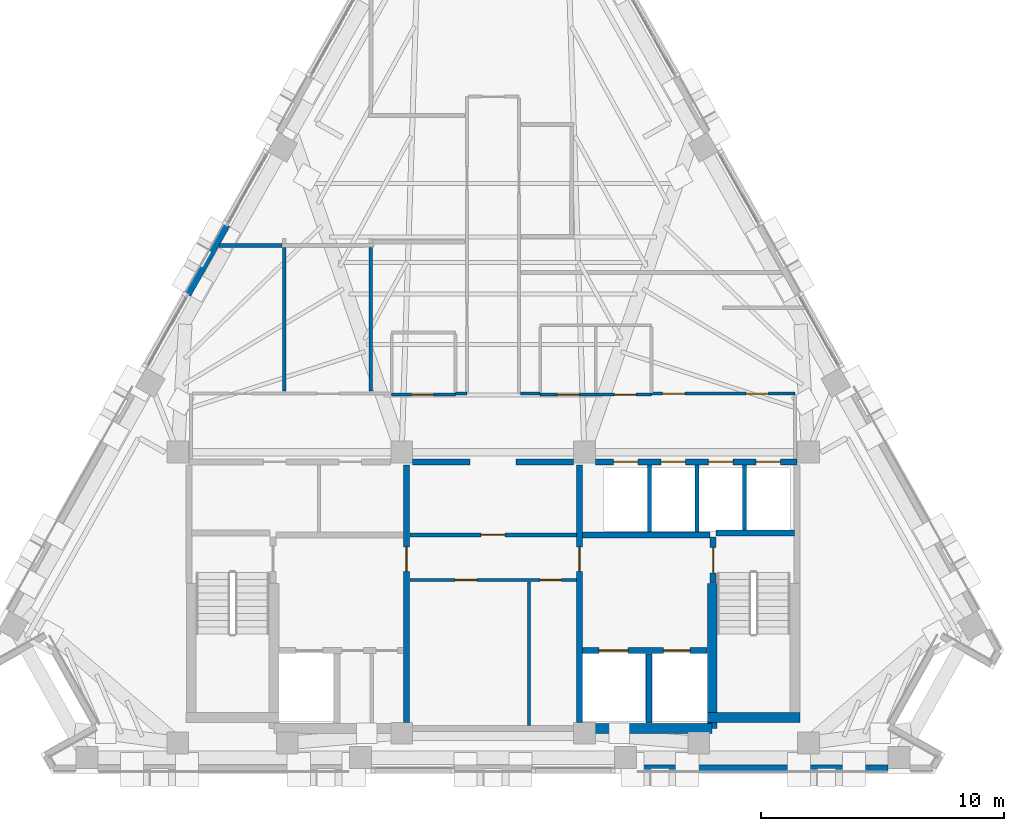
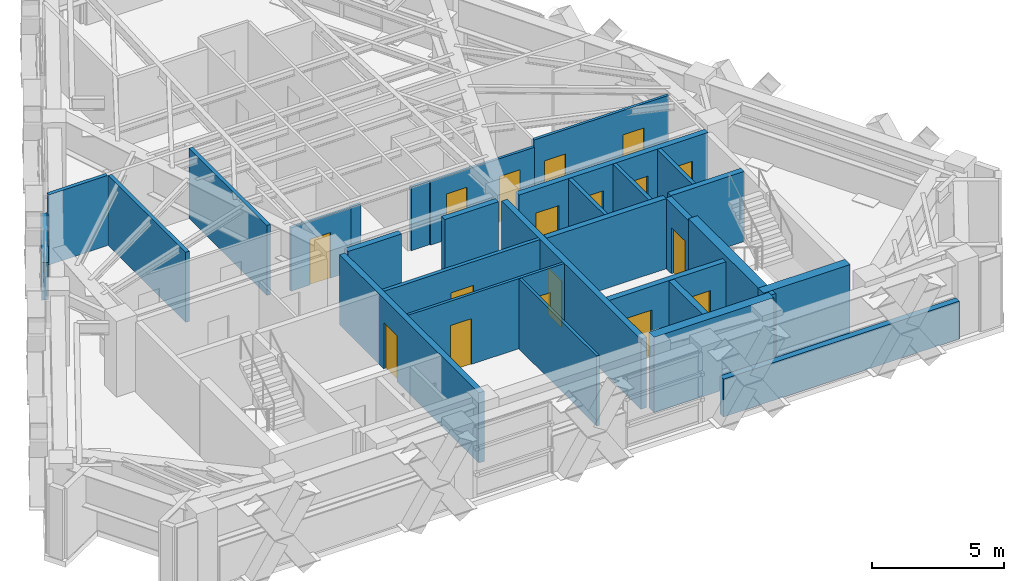
# One storey, part 8 of 13: 29 walls, 17 doors, 17 openings.
"""IFC4 building model written with IfcOpenShell, lengths in metres."""

from ifc_helpers import new_model, si_unit, direction, frame, frame_2d, origin, place, context, subcontext, project, spatial, rectangle, extrude, material, layer, layer_set, type_object, element, fill, save


model = new_model("IFC4")

# Units and contexts
model_context = context("Model", 3, precision=1e-05, world=origin(), true_north=direction((0.0, 1.0)))
body_context = subcontext(model_context, "Body", "Model", "MODEL_VIEW")
ifc_project = project(units=[si_unit("LENGTHUNIT", "METRE"), si_unit("AREAUNIT", "SQUARE_METRE"), si_unit("VOLUMEUNIT", "CUBIC_METRE"), si_unit("PLANEANGLEUNIT", "RADIAN"), si_unit("MASSUNIT", "GRAM", prefix="KILO")], contexts=[model_context])

# Site, building, storey
site_placement = place(None, origin())
site = spatial("IfcSite", under=ifc_project, at=site_placement, CompositionType="ELEMENT")
building_placement = place(site_placement, origin())
building = spatial("IfcBuilding", under=site, at=building_placement, Name="Quenlor Broadcast Tower", CompositionType="ELEMENT")
storey_placement = place(building_placement, frame((0.0, 0.0, 225.39990234375)))
storey = spatial("IfcBuildingStorey", under=building, at=storey_placement, Name="L62", CompositionType="ELEMENT", Elevation=225.39990234375)

# Walls
ifc_material_1 = material(Name="Concrete C50/60", Category="concrete")
ifc_layer_1 = layer(ifc_material_1, 0.39990234375)
ifc_layer_set_1 = layer_set([ifc_layer_1], Name="Core Concrete C50/60 Shear Wall 400")
wall_type_1 = type_object("IfcWallType", Name="Core Concrete C50/60 Shear Wall 400", PredefinedType="SHEAR", material=ifc_layer_set_1)
wall_1_placement = place(storey_placement, frame((3.75, -16.14990234375, 0.0), z_axis=(0.0, 0.0, 1.0), x_axis=(1.0, 0.0, 0.0)))
element("IfcWall", 1, at=wall_1_placement, inside=storey, type_object=wall_type_1, Name="L62 Core Shear Wall WS-E1", PredefinedType="SHEAR", context=body_context, shape_type="SweptSolid", body=[
    extrude(rectangle(XDim=5.25, YDim=0.39990234375, at=frame_2d((2.625, 0.0))), origin(), (0.0, 0.0, 1.0), 3.5),
])
wall_2_placement = place(storey_placement, frame((8.800048828125, -15.699951171875, 0.0), z_axis=(0.0, 0.0, 1.0), x_axis=(1.0, 0.0, 0.0)))
element("IfcWall", 2, at=wall_2_placement, inside=storey, type_object=wall_type_1, Name="L62 Core Shear Wall WS-E2", PredefinedType="SHEAR", context=body_context, shape_type="SweptSolid", body=[
    extrude(rectangle(XDim=3.800048828125, YDim=0.39990234375, at=frame_2d((1.89990234375, 0.0))), origin(), (0.0, 0.0, 1.0), 3.5),
])
wall_3_placement = place(storey_placement, frame((9.0, -16.14990234375, 0.0), z_axis=(0.0, 0.0, 1.0), x_axis=(0.0, 1.0, 0.0)))
element("IfcWall", 3, at=wall_3_placement, inside=storey, type_object=wall_type_1, Name="L62 Core Shear Wall WI-E", PredefinedType="SHEAR", context=body_context, shape_type="SweptSolid", body=[
    extrude(rectangle(XDim=5.949951171875, YDim=0.39990234375, at=frame_2d((2.97509765625, 0.0))), origin(), (0.0, 0.0, 1.0), 3.5),
])

# Wall, opening, door
ifc_material_2 = material(Name="Concrete C40/50", Category="concrete")
ifc_layer_2 = layer(ifc_material_2, 0.25)
ifc_layer_set_2 = layer_set([ifc_layer_2], Name="Fire Rated Concrete C40/50 Core Wall 250")
wall_type_2 = type_object("IfcWallType", Name="Fire Rated Concrete C40/50 Core Wall 250", PredefinedType="PARTITIONING", material=ifc_layer_set_2)
wall_4_placement = place(storey_placement, frame((9.0400390625, -10.179931640625, 0.0), z_axis=(0.0, 0.0, 1.0), x_axis=(0.0, 1.0, 0.0)))
wall_4 = element("IfcWall", 4, at=wall_4_placement, inside=storey, type_object=wall_type_2, Name="L62 Interior Wall CW-ST2-DR", PredefinedType="PARTITIONING", context=body_context, shape_type="SweptSolid", body=[
    extrude(rectangle(XDim=1.89990234375, YDim=0.25, at=frame_2d((0.949951171875, 0.0))), origin(), (0.0, 0.0, 1.0), 3.25),
])
opening_1_placement = place(wall_4_placement, frame((0.419921875, 0.0, 0.0)))
opening_1 = element("IfcOpeningElement", 5, at=opening_1_placement, cuts=wall_4, Name="Opening FD-1", PredefinedType="OPENING", context=body_context, shape_type="SweptSolid", body=[
    extrude(rectangle(XDim=1.050048828125, YDim=2.14990234375, at=frame_2d((0.52490234375, 1.074951171875))), frame((0.0, 0.135009765625, 0.0), z_axis=(0.0, -1.0, 0.0), x_axis=(1.0, 0.0, 0.0)), (0.0, 0.0, 1.0), 0.27001953125),
])
ifc_material_3 = material(Name="Fire Rated Steel Door Leaf", Category="steel")
door_type_1 = type_object("IfcDoorType", Name="Fire Isolated Stair Door 1050x2150", OperationType="NOTDEFINED", PredefinedType="DOOR", material=ifc_material_3)
door_1_placement = place(opening_1_placement, origin())
door_1 = element("IfcDoor", 6, at=door_1_placement, inside=storey, type_object=door_type_1, Name="L62 Door DR-ST2", OperationType="SINGLE_SWING_RIGHT", OverallHeight=2.14990234375, OverallWidth=1.050048828125, PredefinedType="DOOR", context=body_context, shape_type="SweptSolid", body=[
    extrude(rectangle(XDim=1.050048828125, YDim=2.14990234375, at=frame_2d((0.52490234375, 1.074951171875))), frame((0.0, 0.02490234375, 0.0), z_axis=(0.0, -1.0, 0.0), x_axis=(1.0, 0.0, 0.0)), (0.0, 0.0, 1.0), 0.050048828125),
])
fill(opening_1, door_1)

# Wall
wall_5_placement = place(storey_placement, frame((9.159912109375, -8.1201171875, 0.0), z_axis=(0.0, 0.0, 1.0), x_axis=(1.0, 0.0, 0.0)))
element("IfcWall", 7, at=wall_5_placement, inside=storey, type_object=wall_type_2, Name="L62 Interior Wall CW-ST2-N", PredefinedType="PARTITIONING", context=body_context, shape_type="SweptSolid", body=[
    extrude(rectangle(XDim=3.219970703125, YDim=0.25, at=frame_2d((1.60986328125, 0.0))), origin(), (0.0, 0.0, 1.0), 3.25),
])

# Wall, openings, doors
wall_6_placement = place(storey_placement, frame((3.679931640625, -12.949951171875, 0.0), z_axis=(0.0, 0.0, 1.0), x_axis=(1.0, 0.0, 0.0)))
wall_6 = element("IfcWall", 8, at=wall_6_placement, inside=storey, type_object=wall_type_2, Name="L62 Interior Wall CW-FFE-S", PredefinedType="PARTITIONING", context=body_context, shape_type="SweptSolid", body=[
    extrude(rectangle(XDim=5.1181640625, YDim=0.25, at=frame_2d((2.55908203125, 0.0))), origin(), (0.0, 0.0, 1.0), 3.25),
])
opening_2_placement = place(wall_6_placement, frame((3.320068359375, 0.0, 0.0)))
opening_2 = element("IfcOpeningElement", 9, at=opening_2_placement, cuts=wall_6, Name="Opening LD-FFL-2", PredefinedType="OPENING", context=body_context, shape_type="SweptSolid", body=[
    extrude(rectangle(XDim=1.10009765625, YDim=2.14990234375, at=frame_2d((0.550048828125, 1.074951171875))), frame((0.0, 0.135009765625, 0.0), z_axis=(0.0, -1.0, 0.0), x_axis=(1.0, 0.0, 0.0)), (0.0, 0.0, 1.0), 0.27001953125),
])
opening_3_placement = place(wall_6_placement, frame((0.669921875, 0.0, 0.0)))
opening_3 = element("IfcOpeningElement", 10, at=opening_3_placement, cuts=wall_6, Name="Opening LD-SVL-1", PredefinedType="OPENING", context=body_context, shape_type="SweptSolid", body=[
    extrude(rectangle(XDim=1.199951171875, YDim=2.14990234375, at=frame_2d((0.60009765625, 1.074951171875))), frame((0.0, 0.135009765625, 0.0), z_axis=(0.0, -1.0, 0.0), x_axis=(1.0, 0.0, 0.0)), (0.0, 0.0, 1.0), 0.27001953125),
])
ifc_material_4 = material(Name="Brushed Stainless Steel", Category="steel")
door_type_2 = type_object("IfcDoorType", Name="Emergency Lift Sliding Landing Door 1100x2150", OperationType="NOTDEFINED", PredefinedType="DOOR", material=ifc_material_4)
door_2_placement = place(opening_2_placement, origin())
door_2 = element("IfcDoor", 11, at=door_2_placement, inside=storey, type_object=door_type_2, Name="L62 Door LD-FFL-2", OperationType="SLIDING_TO_RIGHT", OverallHeight=2.14990234375, OverallWidth=1.10009765625, PredefinedType="DOOR", context=body_context, shape_type="SweptSolid", body=[
    extrude(rectangle(XDim=1.10009765625, YDim=2.14990234375, at=frame_2d((0.550048828125, 1.074951171875))), frame((0.0, 0.02490234375, 0.0), z_axis=(0.0, -1.0, 0.0), x_axis=(1.0, 0.0, 0.0)), (0.0, 0.0, 1.0), 0.050048828125),
])
fill(opening_2, door_2)
ifc_material_5 = material(Name="Brushed Stainless Steel", Category="steel")
door_type_3 = type_object("IfcDoorType", Name="Goods Lift Sliding Landing Door 1200x2150", OperationType="NOTDEFINED", PredefinedType="DOOR", material=ifc_material_5)
door_3_placement = place(opening_3_placement, origin())
door_3 = element("IfcDoor", 12, at=door_3_placement, inside=storey, type_object=door_type_3, Name="L62 Door LD-SVL-1", OperationType="SLIDING_TO_LEFT", OverallHeight=2.14990234375, OverallWidth=1.199951171875, PredefinedType="DOOR", context=body_context, shape_type="SweptSolid", body=[
    extrude(rectangle(XDim=1.199951171875, YDim=2.14990234375, at=frame_2d((0.60009765625, 1.074951171875))), frame((0.0, 0.02490234375, 0.0), z_axis=(0.0, -1.0, 0.0), x_axis=(1.0, 0.0, 0.0)), (0.0, 0.0, 1.0), 0.050048828125),
])
fill(opening_3, door_3)

# Walls
wall_7_placement = place(storey_placement, frame((6.39990234375, -15.919921875, 0.0), z_axis=(0.0, 0.0, 1.0), x_axis=(0.0, 1.0, 0.0)))
element("IfcWall", 13, at=wall_7_placement, inside=storey, type_object=wall_type_2, Name="L62 Interior Wall CW-SV1-E", PredefinedType="PARTITIONING", context=body_context, shape_type="SweptSolid", body=[
    extrude(rectangle(XDim=2.829833984375, YDim=0.25, at=frame_2d((1.4150390625, 0.0))), origin(), (0.0, 0.0, 1.0), 3.25),
])
wall_8_placement = place(storey_placement, frame((3.679931640625, -8.199951171875, 0.0), z_axis=(0.0, 0.0, 1.0), x_axis=(1.0, 0.0, 0.0)))
element("IfcWall", 14, at=wall_8_placement, inside=storey, type_object=wall_type_2, Name="L62 Interior Wall CW-FFE-N", PredefinedType="PARTITIONING", context=body_context, shape_type="SweptSolid", body=[
    extrude(rectangle(XDim=5.239990234375, YDim=0.25, at=frame_2d((2.6201171875, 0.0))), origin(), (0.0, 0.0, 1.0), 3.25),
])

# Wall, opening, door
wall_9_placement = place(storey_placement, frame((-3.550048828125, -15.89794921875, 0.0), z_axis=(0.0, 0.0, 1.0), x_axis=(0.0, 1.0, 0.0)))
wall_9 = element("IfcWall", 15, at=wall_9_placement, inside=storey, type_object=wall_type_2, Name="L62 Interior Wall CW-FFW-E", PredefinedType="PARTITIONING", context=body_context, shape_type="SweptSolid", body=[
    extrude(rectangle(XDim=10.557861328125, YDim=0.25, at=frame_2d((5.27880859375, 0.0))), origin(), (0.0, 0.0, 1.0), 3.25),
])
opening_4_placement = place(wall_9_placement, frame((6.197998046875, 0.0, 0.0)))
opening_4 = element("IfcOpeningElement", 16, at=opening_4_placement, cuts=wall_9, Name="Opening FD-2", PredefinedType="OPENING", context=body_context, shape_type="SweptSolid", body=[
    extrude(rectangle(XDim=1.0, YDim=2.14990234375, at=frame_2d((0.5, 1.074951171875))), frame((0.0, 0.135009765625, 0.0), z_axis=(0.0, -1.0, 0.0), x_axis=(1.0, 0.0, 0.0)), (0.0, 0.0, 1.0), 0.27001953125),
])
ifc_material_6 = material(Name="Fire Rated Glazed Steel Door", Category="steel")
door_type_4 = type_object("IfcDoorType", Name="Firefighting Lobby Smoke Door 1000x2150", OperationType="NOTDEFINED", PredefinedType="DOOR", material=ifc_material_6)
door_4_placement = place(opening_4_placement, origin())
door_4 = element("IfcDoor", 17, at=door_4_placement, inside=storey, type_object=door_type_4, Name="L62 Door DR-FFLW", OperationType="SINGLE_SWING_RIGHT", OverallHeight=2.14990234375, OverallWidth=1.0, PredefinedType="DOOR", context=body_context, shape_type="SweptSolid", body=[
    extrude(rectangle(XDim=1.0, YDim=2.14990234375, at=frame_2d((0.5, 1.074951171875))), frame((0.0, 0.02490234375, 0.0), z_axis=(0.0, -1.0, 0.0), x_axis=(1.0, 0.0, 0.0)), (0.0, 0.0, 1.0), 0.050048828125),
])
fill(opening_4, door_4)

wall_10_placement = place(storey_placement, frame((3.550048828125, -15.89794921875, 0.0), z_axis=(0.0, 0.0, 1.0), x_axis=(0.0, 1.0, 0.0)))
wall_10 = element("IfcWall", 18, at=wall_10_placement, inside=storey, type_object=wall_type_2, Name="L62 Interior Wall CW-FFE-W", PredefinedType="PARTITIONING", context=body_context, shape_type="SweptSolid", body=[
    extrude(rectangle(XDim=10.557861328125, YDim=0.25, at=frame_2d((5.27880859375, 0.0))), origin(), (0.0, 0.0, 1.0), 3.25),
])
opening_5_placement = place(wall_10_placement, frame((6.197998046875, 0.0, 0.0)))
opening_5 = element("IfcOpeningElement", 19, at=opening_5_placement, cuts=wall_10, Name="Opening FD-2", PredefinedType="OPENING", context=body_context, shape_type="SweptSolid", body=[
    extrude(rectangle(XDim=1.0, YDim=2.14990234375, at=frame_2d((0.5, 1.074951171875))), frame((0.0, 0.135009765625, 0.0), z_axis=(0.0, -1.0, 0.0), x_axis=(1.0, 0.0, 0.0)), (0.0, 0.0, 1.0), 0.27001953125),
])
door_5_placement = place(opening_5_placement, origin())
door_5 = element("IfcDoor", 20, at=door_5_placement, inside=storey, type_object=door_type_4, Name="L62 Door DR-FFLE", OperationType="SINGLE_SWING_LEFT", OverallHeight=2.14990234375, OverallWidth=1.0, PredefinedType="DOOR", context=body_context, shape_type="SweptSolid", body=[
    extrude(rectangle(XDim=1.0, YDim=2.14990234375, at=frame_2d((0.5, 1.074951171875))), frame((0.0, 0.02490234375, 0.0), z_axis=(0.0, -1.0, 0.0), x_axis=(1.0, 0.0, 0.0)), (0.0, 0.0, 1.0), 0.050048828125),
])
fill(opening_5, door_5)

# Wall, openings, doors
wall_11_placement = place(storey_placement, frame((4.201904296875, -5.199951171875, 0.0), z_axis=(0.0, 0.0, 1.0), x_axis=(1.0, 0.0, 0.0)))
wall_11 = element("IfcWall", 21, at=wall_11_placement, inside=storey, type_object=wall_type_2, Name="L62 Interior Wall CW-N-E", PredefinedType="PARTITIONING", context=body_context, shape_type="SweptSolid", body=[
    extrude(rectangle(XDim=8.278076171875, YDim=0.25, at=frame_2d((4.13916015625, 0.0))), origin(), (0.0, 0.0, 1.0), 3.25),
])
opening_6_placement = place(wall_11_placement, frame((0.748046875, 0.0, 0.0)))
opening_6 = element("IfcOpeningElement", 22, at=opening_6_placement, cuts=wall_11, Name="Opening LD-PL-H1", PredefinedType="OPENING", context=body_context, shape_type="SweptSolid", body=[
    extrude(rectangle(XDim=1.0, YDim=2.14990234375, at=frame_2d((0.5, 1.074951171875))), frame((0.0, 0.135009765625, 0.0), z_axis=(0.0, -1.0, 0.0), x_axis=(1.0, 0.0, 0.0)), (0.0, 0.0, 1.0), 0.27001953125),
])
opening_7_placement = place(wall_11_placement, frame((2.697998046875, 0.0, 0.0)))
opening_7 = element("IfcOpeningElement", 23, at=opening_7_placement, cuts=wall_11, Name="Opening LD-PL-H2", PredefinedType="OPENING", context=body_context, shape_type="SweptSolid", body=[
    extrude(rectangle(XDim=1.0, YDim=2.14990234375, at=frame_2d((0.5, 1.074951171875))), frame((0.0, 0.135009765625, 0.0), z_axis=(0.0, -1.0, 0.0), x_axis=(1.0, 0.0, 0.0)), (0.0, 0.0, 1.0), 0.27001953125),
])
opening_8_placement = place(wall_11_placement, frame((4.64794921875, 0.0, 0.0)))
opening_8 = element("IfcOpeningElement", 24, at=opening_8_placement, cuts=wall_11, Name="Opening LD-PL-H3", PredefinedType="OPENING", context=body_context, shape_type="SweptSolid", body=[
    extrude(rectangle(XDim=1.0, YDim=2.14990234375, at=frame_2d((0.5, 1.074951171875))), frame((0.0, 0.135009765625, 0.0), z_axis=(0.0, -1.0, 0.0), x_axis=(1.0, 0.0, 0.0)), (0.0, 0.0, 1.0), 0.27001953125),
])
opening_9_placement = place(wall_11_placement, frame((6.597900390625, 0.0, 0.0)))
opening_9 = element("IfcOpeningElement", 25, at=opening_9_placement, cuts=wall_11, Name="Opening LD-PL-H4", PredefinedType="OPENING", context=body_context, shape_type="SweptSolid", body=[
    extrude(rectangle(XDim=1.0, YDim=2.14990234375, at=frame_2d((0.5, 1.074951171875))), frame((0.0, 0.135009765625, 0.0), z_axis=(0.0, -1.0, 0.0), x_axis=(1.0, 0.0, 0.0)), (0.0, 0.0, 1.0), 0.27001953125),
])
ifc_material_7 = material(Name="Brushed Stainless Steel", Category="steel")
door_type_5 = type_object("IfcDoorType", Name="Passenger Lift Sliding Landing Door 1000x2150", OperationType="NOTDEFINED", PredefinedType="DOOR", material=ifc_material_7)
door_6_placement = place(opening_6_placement, origin())
door_6 = element("IfcDoor", 26, at=door_6_placement, inside=storey, type_object=door_type_5, Name="L62 Door LD-PL-H1", OperationType="SLIDING_TO_RIGHT", OverallHeight=2.14990234375, OverallWidth=1.0, PredefinedType="DOOR", context=body_context, shape_type="SweptSolid", body=[
    extrude(rectangle(XDim=1.0, YDim=2.14990234375, at=frame_2d((0.5, 1.074951171875))), frame((0.0, 0.02490234375, 0.0), z_axis=(0.0, -1.0, 0.0), x_axis=(1.0, 0.0, 0.0)), (0.0, 0.0, 1.0), 0.050048828125),
])
fill(opening_6, door_6)
door_7_placement = place(opening_7_placement, origin())
door_7 = element("IfcDoor", 27, at=door_7_placement, inside=storey, type_object=door_type_5, Name="L62 Door LD-PL-H2", OperationType="SLIDING_TO_RIGHT", OverallHeight=2.14990234375, OverallWidth=1.0, PredefinedType="DOOR", context=body_context, shape_type="SweptSolid", body=[
    extrude(rectangle(XDim=1.0, YDim=2.14990234375, at=frame_2d((0.5, 1.074951171875))), frame((0.0, 0.02490234375, 0.0), z_axis=(0.0, -1.0, 0.0), x_axis=(1.0, 0.0, 0.0)), (0.0, 0.0, 1.0), 0.050048828125),
])
fill(opening_7, door_7)
door_8_placement = place(opening_8_placement, origin())
door_8 = element("IfcDoor", 28, at=door_8_placement, inside=storey, type_object=door_type_5, Name="L62 Door LD-PL-H3", OperationType="SLIDING_TO_RIGHT", OverallHeight=2.14990234375, OverallWidth=1.0, PredefinedType="DOOR", context=body_context, shape_type="SweptSolid", body=[
    extrude(rectangle(XDim=1.0, YDim=2.14990234375, at=frame_2d((0.5, 1.074951171875))), frame((0.0, 0.02490234375, 0.0), z_axis=(0.0, -1.0, 0.0), x_axis=(1.0, 0.0, 0.0)), (0.0, 0.0, 1.0), 0.050048828125),
])
fill(opening_8, door_8)
door_9_placement = place(opening_9_placement, origin())
door_9 = element("IfcDoor", 29, at=door_9_placement, inside=storey, type_object=door_type_5, Name="L62 Door LD-PL-H4", OperationType="SLIDING_TO_RIGHT", OverallHeight=2.14990234375, OverallWidth=1.0, PredefinedType="DOOR", context=body_context, shape_type="SweptSolid", body=[
    extrude(rectangle(XDim=1.0, YDim=2.14990234375, at=frame_2d((0.5, 1.074951171875))), frame((0.0, 0.02490234375, 0.0), z_axis=(0.0, -1.0, 0.0), x_axis=(1.0, 0.0, 0.0)), (0.0, 0.0, 1.0), 0.050048828125),
])
fill(opening_9, door_9)

# Walls
for number, where, z_axis, x_axis, name in (
    (30, (-3.298095703125, -5.199951171875, 0.0), (0.0, 0.0, 1.0), (1.0, 0.0, 0.0), "L62 Interior Wall CW-N-M1"),
    (31, (0.949951171875, -5.199951171875, 0.0), (0.0, 0.0, 1.0), (1.0, 0.0, 0.0), "L62 Interior Wall CW-N-M2"),
):
    element("IfcWall", number, at=place(storey_placement, frame(where, z_axis=z_axis, x_axis=x_axis)), inside=storey, type_object=wall_type_2, Name=name, PredefinedType="PARTITIONING", context=body_context, shape_type="SweptSolid", body=[
        extrude(rectangle(XDim=2.34814453125, YDim=0.25, at=frame_2d((1.174072265625, 0.0))), origin(), (0.0, 0.0, 1.0), 3.25),
    ])
ifc_material_8 = material(Name="Gypsum Fireboard Partition", Category="other")
ifc_layer_3 = layer(ifc_material_8, 0.159912109375)
ifc_layer_set_3 = layer_set([ifc_layer_3], Name="Fire Rated Shaft and Corridor Partition 160")
wall_type_3 = type_object("IfcWallType", Name="Fire Rated Shaft and Corridor Partition 160", PredefinedType="PARTITIONING", material=ifc_layer_set_3)
for number, where, z_axis, x_axis, name in (
    (32, (6.425048828125, -8.072998046875, 0.0), (0.0, 0.0, 1.0), (0.0, 1.0, 0.0), "L62 Interior Wall CW-PLH-D1"),
    (33, (8.375, -8.072998046875, 0.0), (0.0, 0.0, 1.0), (0.0, 1.0, 0.0), "L62 Interior Wall CW-PLH-D2"),
):
    element("IfcWall", number, at=place(storey_placement, frame(where, z_axis=z_axis, x_axis=x_axis)), inside=storey, type_object=wall_type_3, Name=name, PredefinedType="PARTITIONING", context=body_context, shape_type="SweptSolid", body=[
        extrude(rectangle(XDim=2.73291015625, YDim=0.159912109375, at=frame_2d((1.366455078125, 0.0))), origin(), (0.0, 0.0, 1.0), 3.25),
    ])
wall_12_placement = place(storey_placement, frame((10.324951171875, -7.992919921875, 0.0), z_axis=(0.0, 0.0, 1.0), x_axis=(0.0, 1.0, 0.0)))
element("IfcWall", 34, at=wall_12_placement, inside=storey, type_object=wall_type_3, Name="L62 Interior Wall CW-PLH-D3", PredefinedType="PARTITIONING", context=body_context, shape_type="SweptSolid", body=[
    extrude(rectangle(XDim=2.65283203125, YDim=0.159912109375, at=frame_2d((1.326416015625, 0.0))), origin(), (0.0, 0.0, 1.0), 3.25),
])

# Wall, opening, door
wall_13_placement = place(storey_placement, frame((-3.419921875, -8.199951171875, 0.0), z_axis=(0.0, 0.0, 1.0), x_axis=(1.0, 0.0, 0.0)))
wall_13 = element("IfcWall", 35, at=wall_13_placement, inside=storey, type_object=wall_type_3, Name="L62 Interior Wall CW-M-BACK", PredefinedType="PARTITIONING", context=body_context, shape_type="SweptSolid", body=[
    extrude(rectangle(XDim=6.83984375, YDim=0.159912109375, at=frame_2d((3.419921875, 0.0))), origin(), (0.0, 0.0, 1.0), 3.25),
])
opening_10_placement = place(wall_13_placement, frame((2.919921875, 0.0, 0.0)))
opening_10 = element("IfcOpeningElement", 36, at=opening_10_placement, cuts=wall_13, Name="Opening FD-2", PredefinedType="OPENING", context=body_context, shape_type="SweptSolid", body=[
    extrude(rectangle(XDim=1.0, YDim=2.14990234375, at=frame_2d((0.5, 1.074951171875))), frame((0.0, 0.08984375, 0.0), z_axis=(0.0, -1.0, 0.0), x_axis=(1.0, 0.0, 0.0)), (0.0, 0.0, 1.0), 0.179931640625),
])
door_10_placement = place(opening_10_placement, origin())
door_10 = element("IfcDoor", 37, at=door_10_placement, inside=storey, type_object=door_type_4, Name="L62 Door DR-CCRP", OperationType="SINGLE_SWING_LEFT", OverallHeight=2.14990234375, OverallWidth=1.0, PredefinedType="DOOR", context=body_context, shape_type="SweptSolid", body=[
    extrude(rectangle(XDim=1.0, YDim=2.14990234375, at=frame_2d((0.5, 1.074951171875))), frame((0.0, 0.02490234375, 0.0), z_axis=(0.0, -1.0, 0.0), x_axis=(1.0, 0.0, 0.0)), (0.0, 0.0, 1.0), 0.050048828125),
])
fill(opening_10, door_10)

# Walls
wall_14_placement = place(storey_placement, frame((-8.67724609375, 3.679931640625, 0.0), z_axis=(0.0, 0.0, 1.0), x_axis=(-1.0, 0.0, 0.0)))
element("IfcWall", 38, at=wall_14_placement, inside=storey, type_object=wall_type_3, Name="L62 Interior Wall PW-DV-09", PredefinedType="PARTITIONING", context=body_context, shape_type="SweptSolid", body=[
    extrude(rectangle(XDim=2.568115234375, YDim=0.159912109375, at=frame_2d((1.2841796875, 0.0))), origin(), (0.0, 0.0, 1.0), 3.25),
])
wall_15_placement = place(storey_placement, frame((-5.02001953125, -2.2900390625, 0.0), z_axis=(0.0, 0.0, 1.0), x_axis=(0.0, 1.0, 0.0)))
element("IfcWall", 39, at=wall_15_placement, inside=storey, type_object=wall_type_3, Name="L62 Interior Wall PW-DV-10", PredefinedType="PARTITIONING", context=body_context, shape_type="SweptSolid", body=[
    extrude(rectangle(XDim=5.90234375, YDim=0.159912109375, at=frame_2d((2.951171875, 0.0))), origin(), (0.0, 0.0, 1.0), 3.25),
])
wall_16_placement = place(storey_placement, frame((-8.5751953125, -2.2900390625, 0.0), z_axis=(0.0, 0.0, 1.0), x_axis=(0.0, 1.0, 0.0)))
element("IfcWall", 40, at=wall_16_placement, inside=storey, type_object=wall_type_3, Name="L62 Interior Wall PW-DV-12", PredefinedType="PARTITIONING", context=body_context, shape_type="SweptSolid", body=[
    extrude(rectangle(XDim=5.887939453125, YDim=0.159912109375, at=frame_2d((2.94384765625, 0.0))), origin(), (0.0, 0.0, 1.0), 3.25),
])

# Wall, openings, doors
ifc_material_9 = material(Name="Gypsum Plasterboard Partition", Category="other")
ifc_layer_4 = layer(ifc_material_9, 0.1201171875)
ifc_layer_set_4 = layer_set([ifc_layer_4], Name="Standard Office Partition 120")
wall_type_4 = type_object("IfcWallType", Name="Standard Office Partition 120", PredefinedType="PARTITIONING", material=ifc_layer_set_4)
wall_17_placement = place(storey_placement, frame((-3.419921875, -10.050048828125, 0.0), z_axis=(0.0, 0.0, 1.0), x_axis=(1.0, 0.0, 0.0)))
wall_17 = element("IfcWall", 41, at=wall_17_placement, inside=storey, type_object=wall_type_4, Name="L62 Interior Wall CW-MS-N", PredefinedType="PARTITIONING", context=body_context, shape_type="SweptSolid", body=[
    extrude(rectangle(XDim=6.83984375, YDim=0.1201171875, at=frame_2d((3.419921875, 0.0))), origin(), (0.0, 0.0, 1.0), 3.25),
])
opening_11_placement = place(wall_17_placement, frame((1.85009765625, 0.0, 0.0)))
opening_11 = element("IfcOpeningElement", 42, at=opening_11_placement, cuts=wall_17, Name="Opening ID-1", PredefinedType="OPENING", context=body_context, shape_type="SweptSolid", body=[
    extrude(rectangle(XDim=0.919921875, YDim=2.1201171875, at=frame_2d((0.4599609375, 1.06005859375))), frame((0.0, 0.070068359375, 0.0), z_axis=(0.0, -1.0, 0.0), x_axis=(1.0, 0.0, 0.0)), (0.0, 0.0, 1.0), 0.14013671875),
])
opening_12_placement = place(wall_17_placement, frame((5.35009765625, 0.0, 0.0)))
opening_12 = element("IfcOpeningElement", 43, at=opening_12_placement, cuts=wall_17, Name="Opening ID-4", PredefinedType="OPENING", context=body_context, shape_type="SweptSolid", body=[
    extrude(rectangle(XDim=0.8798828125, YDim=2.1201171875, at=frame_2d((0.43994140625, 1.06005859375))), frame((0.0, 0.070068359375, 0.0), z_axis=(0.0, -1.0, 0.0), x_axis=(1.0, 0.0, 0.0)), (0.0, 0.0, 1.0), 0.14013671875),
])
ifc_material_10 = material(Name="Solid Core Timber Oak", Category="wood")
door_type_6 = type_object("IfcDoorType", Name="Service Closet Timber Door 880x2120", OperationType="NOTDEFINED", PredefinedType="DOOR", material=ifc_material_10)
door_11_placement = place(opening_12_placement, origin())
door_11 = element("IfcDoor", 44, at=door_11_placement, inside=storey, type_object=door_type_6, Name="L62 Door DR-RCMB", OperationType="SINGLE_SWING_RIGHT", OverallHeight=2.1201171875, OverallWidth=0.8798828125, PredefinedType="DOOR", context=body_context, shape_type="SweptSolid", body=[
    extrude(rectangle(XDim=0.8798828125, YDim=2.1201171875, at=frame_2d((0.43994140625, 1.06005859375))), frame((0.0, 0.02490234375, 0.0), z_axis=(0.0, -1.0, 0.0), x_axis=(1.0, 0.0, 0.0)), (0.0, 0.0, 1.0), 0.050048828125),
])
fill(opening_12, door_11)
ifc_material_11 = material(Name="Solid Core Timber Oak", Category="wood")
door_type_7 = type_object("IfcDoorType", Name="Single Leaf Timber Office Door 920x2120", OperationType="NOTDEFINED", PredefinedType="DOOR", material=ifc_material_11)
door_12_placement = place(opening_11_placement, origin())
door_12 = element("IfcDoor", 45, at=door_12_placement, inside=storey, type_object=door_type_7, Name="L62 Door DR-RCMA", OperationType="SINGLE_SWING_LEFT", OverallHeight=2.1201171875, OverallWidth=0.919921875, PredefinedType="DOOR", context=body_context, shape_type="SweptSolid", body=[
    extrude(rectangle(XDim=0.919921875, YDim=2.1201171875, at=frame_2d((0.4599609375, 1.06005859375))), frame((0.0, 0.02490234375, 0.0), z_axis=(0.0, -1.0, 0.0), x_axis=(1.0, 0.0, 0.0)), (0.0, 0.0, 1.0), 0.050048828125),
])
fill(opening_11, door_12)

# Wall
wall_18_placement = place(storey_placement, frame((1.47998046875, -16.02001953125, 0.0), z_axis=(0.0, 0.0, 1.0), x_axis=(0.0, 1.0, 0.0)))
element("IfcWall", 46, at=wall_18_placement, inside=storey, type_object=wall_type_4, Name="L62 Interior Wall CW-RCM-X2", PredefinedType="PARTITIONING", context=body_context, shape_type="SweptSolid", body=[
    extrude(rectangle(XDim=5.89013671875, YDim=0.1201171875, at=frame_2d((2.945068359375, 0.0))), origin(), (0.0, 0.0, 1.0), 3.25),
])

# Wall, opening, door
wall_19_placement = place(storey_placement, frame((-4.159912109375, -2.43994140625, 0.0), z_axis=(0.0, 0.0, 1.0), x_axis=(1.0, 0.0, 0.0)))
wall_19 = element("IfcWall", 47, at=wall_19_placement, inside=storey, type_object=wall_type_4, Name="L62 Interior Wall PW-AWC-S", PredefinedType="PARTITIONING", context=body_context, shape_type="SweptSolid", body=[
    extrude(rectangle(XDim=2.619873046875, YDim=0.1201171875, at=frame_2d((1.31005859375, 0.0))), origin(), (0.0, 0.0, 1.0), 2.94287109375),
])
opening_13_placement = place(wall_19_placement, frame((0.820068359375, 0.0, 0.0)))
opening_13 = element("IfcOpeningElement", 48, at=opening_13_placement, cuts=wall_19, Name="Opening ID-3", PredefinedType="OPENING", context=body_context, shape_type="SweptSolid", body=[
    extrude(rectangle(XDim=0.89990234375, YDim=2.1201171875, at=frame_2d((0.449951171875, 1.06005859375))), frame((0.0, 0.070068359375, 0.0), z_axis=(0.0, -1.0, 0.0), x_axis=(1.0, 0.0, 0.0)), (0.0, 0.0, 1.0), 0.14013671875),
])
ifc_material_12 = material(Name="Moisture Resistant Timber Oak", Category="wood")
door_type_8 = type_object("IfcDoorType", Name="Washroom Privacy Door 900x2120", OperationType="NOTDEFINED", PredefinedType="DOOR", material=ifc_material_12)
door_13_placement = place(opening_13_placement, origin())
door_13 = element("IfcDoor", 49, at=door_13_placement, inside=storey, type_object=door_type_8, Name="L62 Door DR-AWC", OperationType="SINGLE_SWING_LEFT", OverallHeight=2.1201171875, OverallWidth=0.89990234375, PredefinedType="DOOR", context=body_context, shape_type="SweptSolid", body=[
    extrude(rectangle(XDim=0.89990234375, YDim=2.1201171875, at=frame_2d((0.449951171875, 1.06005859375))), frame((0.0, 0.02490234375, 0.0), z_axis=(0.0, -1.0, 0.0), x_axis=(1.0, 0.0, 0.0)), (0.0, 0.0, 1.0), 0.050048828125),
])
fill(opening_13, door_13)

# Wall, openings, doors
wall_20_placement = place(storey_placement, frame((1.93994140625, -2.43994140625, 0.0), z_axis=(0.0, 0.0, 1.0), x_axis=(1.0, 0.0, 0.0)))
wall_20 = element("IfcWall", 50, at=wall_20_placement, inside=storey, type_object=wall_type_4, Name="L62 Interior Wall PW-WC-S", PredefinedType="PARTITIONING", context=body_context, shape_type="SweptSolid", body=[
    extrude(rectangle(XDim=4.570068359375, YDim=0.1201171875, at=frame_2d((2.28515625, 0.0))), origin(), (0.0, 0.0, 1.0), 2.94287109375),
])
opening_14_placement = place(wall_20_placement, frame((0.699951171875, 0.0, 0.0)))
opening_14 = element("IfcOpeningElement", 51, at=opening_14_placement, cuts=wall_20, Name="Opening ID-3", PredefinedType="OPENING", context=body_context, shape_type="SweptSolid", body=[
    extrude(rectangle(XDim=0.89990234375, YDim=2.1201171875, at=frame_2d((0.449951171875, 1.06005859375))), frame((0.0, 0.070068359375, 0.0), z_axis=(0.0, -1.0, 0.0), x_axis=(1.0, 0.0, 0.0)), (0.0, 0.0, 1.0), 0.14013671875),
])
opening_15_placement = place(wall_20_placement, frame((3.0400390625, 0.0, 0.0)))
opening_15 = element("IfcOpeningElement", 52, at=opening_15_placement, cuts=wall_20, Name="Opening ID-3", PredefinedType="OPENING", context=body_context, shape_type="SweptSolid", body=[
    extrude(rectangle(XDim=0.89990234375, YDim=2.1201171875, at=frame_2d((0.449951171875, 1.06005859375))), frame((0.0, 0.070068359375, 0.0), z_axis=(0.0, -1.0, 0.0), x_axis=(1.0, 0.0, 0.0)), (0.0, 0.0, 1.0), 0.14013671875),
])
door_14_placement = place(opening_14_placement, origin())
door_14 = element("IfcDoor", 53, at=door_14_placement, inside=storey, type_object=door_type_8, Name="L62 Door DR-MWC", OperationType="SINGLE_SWING_LEFT", OverallHeight=2.1201171875, OverallWidth=0.89990234375, PredefinedType="DOOR", context=body_context, shape_type="SweptSolid", body=[
    extrude(rectangle(XDim=0.89990234375, YDim=2.1201171875, at=frame_2d((0.449951171875, 1.06005859375))), frame((0.0, 0.02490234375, 0.0), z_axis=(0.0, -1.0, 0.0), x_axis=(1.0, 0.0, 0.0)), (0.0, 0.0, 1.0), 0.050048828125),
])
fill(opening_14, door_14)
door_15_placement = place(opening_15_placement, origin())
door_15 = element("IfcDoor", 54, at=door_15_placement, inside=storey, type_object=door_type_8, Name="L62 Door DR-FWC", OperationType="SINGLE_SWING_RIGHT", OverallHeight=2.1201171875, OverallWidth=0.89990234375, PredefinedType="DOOR", context=body_context, shape_type="SweptSolid", body=[
    extrude(rectangle(XDim=0.89990234375, YDim=2.1201171875, at=frame_2d((0.449951171875, 1.06005859375))), frame((0.0, 0.02490234375, 0.0), z_axis=(0.0, -1.0, 0.0), x_axis=(1.0, 0.0, 0.0)), (0.0, 0.0, 1.0), 0.050048828125),
])
fill(opening_15, door_15)

# Walls
wall_21_placement = place(storey_placement, frame((-1.5380859375, -2.39990234375, 0.0), z_axis=(0.0, 0.0, 1.0), x_axis=(1.0, 0.0, 0.0)))
element("IfcWall", 55, at=wall_21_placement, inside=storey, type_object=wall_type_4, Name="L62 Interior Wall PW-CR-02S2", PredefinedType="PARTITIONING", context=body_context, shape_type="SweptSolid", body=[
    extrude(rectangle(XDim=0.468017578125, YDim=0.1201171875, at=frame_2d((0.23388671875, 0.0))), origin(), (0.0, 0.0, 1.0), 2.94287109375),
])
wall_22_placement = place(storey_placement, frame((1.132080078125, -2.39990234375, 0.0), z_axis=(0.0, 0.0, 1.0), x_axis=(1.0, 0.0, 0.0)))
element("IfcWall", 56, at=wall_22_placement, inside=storey, type_object=wall_type_4, Name="L62 Interior Wall PW-CR-06", PredefinedType="PARTITIONING", context=body_context, shape_type="SweptSolid", body=[
    extrude(rectangle(XDim=0.805908203125, YDim=0.1201171875, at=frame_2d((0.40283203125, 0.0))), origin(), (0.0, 0.0, 1.0), 2.94287109375),
])

# Wall, openings, doors
wall_23_placement = place(storey_placement, frame((6.511962890625, -2.39990234375, 0.0), z_axis=(0.0, 0.0, 1.0), x_axis=(1.0, 0.0, 0.0)))
wall_23 = element("IfcWall", 57, at=wall_23_placement, inside=storey, type_object=wall_type_4, Name="L62 Interior Wall PW-CR-06S2", PredefinedType="PARTITIONING", context=body_context, shape_type="SweptSolid", body=[
    extrude(rectangle(XDim=5.89794921875, YDim=0.1201171875, at=frame_2d((2.948974609375, 0.0))), origin(), (0.0, 0.0, 1.0), 3.25),
])
opening_16_placement = place(wall_23_placement, frame((0.4580078125, 0.0, 0.0)))
opening_16 = element("IfcOpeningElement", 58, at=opening_16_placement, cuts=wall_23, Name="Opening ID-1", PredefinedType="OPENING", context=body_context, shape_type="SweptSolid", body=[
    extrude(rectangle(XDim=0.919921875, YDim=2.1201171875, at=frame_2d((0.4599609375, 1.06005859375))), frame((0.0, 0.070068359375, 0.0), z_axis=(0.0, -1.0, 0.0), x_axis=(1.0, 0.0, 0.0)), (0.0, 0.0, 1.0), 0.14013671875),
])
opening_17_placement = place(wall_23_placement, frame((3.883056640625, 0.0, 0.0)))
opening_17 = element("IfcOpeningElement", 59, at=opening_17_placement, cuts=wall_23, Name="Opening ID-1", PredefinedType="OPENING", context=body_context, shape_type="SweptSolid", body=[
    extrude(rectangle(XDim=0.919921875, YDim=2.1201171875, at=frame_2d((0.4599609375, 1.06005859375))), frame((0.0, 0.070068359375, 0.0), z_axis=(0.0, -1.0, 0.0), x_axis=(1.0, 0.0, 0.0)), (0.0, 0.0, 1.0), 0.14013671875),
])
door_16_placement = place(opening_16_placement, origin())
door_16 = element("IfcDoor", 60, at=door_16_placement, inside=storey, type_object=door_type_7, Name="L62 Door DR-RM05", OperationType="SINGLE_SWING_LEFT", OverallHeight=2.1201171875, OverallWidth=0.919921875, PredefinedType="DOOR", context=body_context, shape_type="SweptSolid", body=[
    extrude(rectangle(XDim=0.919921875, YDim=2.1201171875, at=frame_2d((0.4599609375, 1.06005859375))), frame((0.0, 0.02490234375, 0.0), z_axis=(0.0, -1.0, 0.0), x_axis=(1.0, 0.0, 0.0)), (0.0, 0.0, 1.0), 0.050048828125),
])
fill(opening_16, door_16)
door_17_placement = place(opening_17_placement, origin())
door_17 = element("IfcDoor", 61, at=door_17_placement, inside=storey, type_object=door_type_7, Name="L62 Door DR-RM08", OperationType="SINGLE_SWING_RIGHT", OverallHeight=2.1201171875, OverallWidth=0.919921875, PredefinedType="DOOR", context=body_context, shape_type="SweptSolid", body=[
    extrude(rectangle(XDim=0.919921875, YDim=2.1201171875, at=frame_2d((0.4599609375, 1.06005859375))), frame((0.0, 0.02490234375, 0.0), z_axis=(0.0, -1.0, 0.0), x_axis=(1.0, 0.0, 0.0)), (0.0, 0.0, 1.0), 0.050048828125),
])
fill(opening_17, door_17)

# Walls
ifc_material_13 = material(Name="Precast concrete C40/50", Category="concrete")
ifc_layer_5 = layer(ifc_material_13, 0.260009765625)
ifc_layer_set_5 = layer_set([ifc_layer_5], Name="Terracotta Precast Concrete C40/50 Upper Wall 260")
wall_type_5 = type_object("IfcWallType", Name="Terracotta Precast Concrete C40/50 Upper Wall 260", PredefinedType="STANDARD", material=ifc_layer_set_5)
wall_24_placement = place(storey_placement, frame((16.220947265625, -17.77490234375, 0.0), z_axis=(0.0, 0.0, 1.0), x_axis=(-1.0, 0.0, 0.0)))
element("IfcWall", 62, at=wall_24_placement, inside=storey, type_object=wall_type_5, Name="L62 Exterior Wall L62-EW-SA", PredefinedType="STANDARD", context=body_context, shape_type="SweptSolid", body=[
    extrude(rectangle(XDim=10.328125, YDim=0.260009765625, at=frame_2d((5.1640625, 0.0))), origin(), (0.0, 0.0, 1.0), 1.75),
])
wall_25_placement = place(storey_placement, frame((-12.53466796875, 1.6572265625, 0.0), z_axis=(0.0, 0.0, 1.0), x_axis=(0.490264765862, 0.871573553611, 0.0)))
element("IfcWall", 63, at=wall_25_placement, inside=storey, type_object=wall_type_5, Name="L62 Exterior Wall L62-NW-SP1", PredefinedType="STANDARD", context=body_context, shape_type="SweptSolid", body=[
    extrude(rectangle(XDim=3.287109375, YDim=0.260009765625, at=frame_2d((1.6435546875, 0.0))), origin(), (0.0, 0.0, 1.0), 1.75),
])

save(model, "model.ifc")
